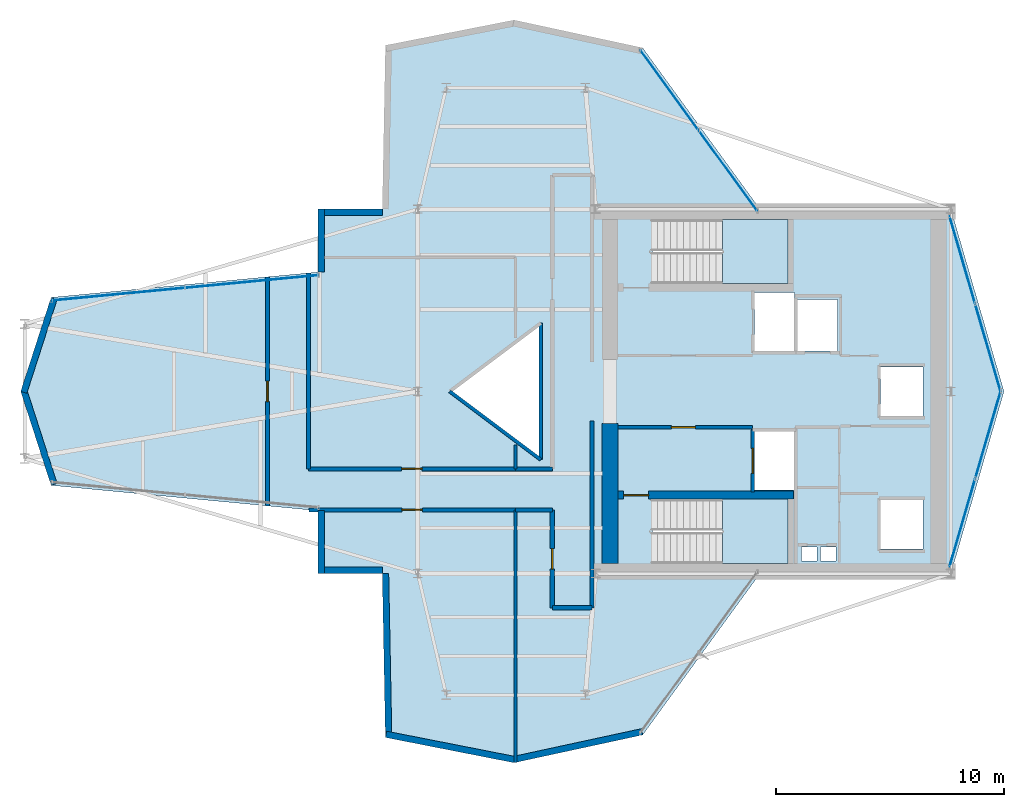
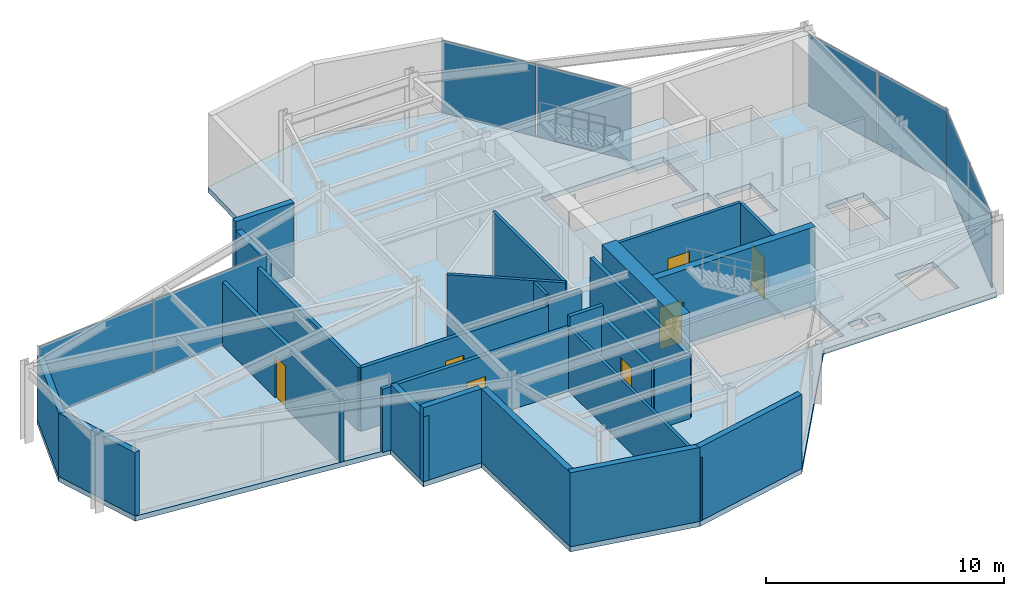
# One storey, part 18 of 21: 26 walls, 8 plates, 7 doors, 3 slabs, 7 openings, 6 elements without a shape of their own.
"""IFC4 building model written with IfcOpenShell, lengths in metres."""

import ifcopenshell
import ifcopenshell.guid

model = None  # the IFC model being written
_history = None  # IfcOwnerHistory: only IFC2X3 demands one
_inside = {}  # id of a spatial element -> (the spatial element, [elements in it])
_under = {}  # id of a project, library or spatial element -> (it, [spatial elements below it])
_declared = {}  # id of a project -> (the project, [libraries it declares])
_typed = {}  # id of a type object -> (the type object, [elements of that type])
_made_of = {}  # id of a material, layer set ... -> (it, [elements and type objects made of it])


def new_model(schema):
    """Start an empty IFC model of exactly this schema.

    Asked for "IFC4X3", IfcOpenShell would pick the latest addendum, in which some entities
    have other attributes; the version numbers below select the first issue.
    IFC2X3 requires an IfcOwnerHistory on every rooted entity: one is made here for all.
    """
    global model, _history
    if schema == "IFC4X3":
        model = ifcopenshell.file(schema_version=(4, 3, 0, 0))
    else:
        model = ifcopenshell.file(schema=schema)
    _inside.clear()
    _under.clear()
    _declared.clear()
    _typed.clear()
    _made_of.clear()
    _history = None
    if model.schema == "IFC2X3":
        org = make("IfcOrganization", Name="unknown")
        user = make(
            "IfcPersonAndOrganization",
            ThePerson=make("IfcPerson", FamilyName="unknown"),
            TheOrganization=org,
        )
        app = make(
            "IfcApplication",
            ApplicationDeveloper=org,
            Version="unknown",
            ApplicationFullName="unknown",
            ApplicationIdentifier="unknown",
        )
        _history = make(
            "IfcOwnerHistory",
            OwningUser=user,
            OwningApplication=app,
            ChangeAction="ADDED",
            CreationDate=0,
        )
    return model


def make(cls, **values):
    """One entity of the class cls with the attributes given. An attribute that is None is left unset."""
    return model.create_entity(
        cls, **{name: value for name, value in values.items() if value is not None}
    )


def rooted(cls, **values):
    """An entity with a GlobalId (a new one), such as an element, a storey or a relation."""
    return make(cls, GlobalId=ifcopenshell.guid.new(), OwnerHistory=_history, **values)


def si_unit(unit_type, name, prefix=None):
    """IfcSIUnit, for example si_unit("LENGTHUNIT", "METRE", prefix="MILLI")."""
    return make("IfcSIUnit", UnitType=unit_type, Prefix=prefix, Name=name)


def assignment(units):
    """IfcUnitAssignment: the units of a project."""
    return None if units is None else make("IfcUnitAssignment", Units=units)


def point(xyz):
    """IfcCartesianPoint."""
    return None if xyz is None else make("IfcCartesianPoint", Coordinates=xyz)


def direction(xyz):
    """IfcDirection."""
    return None if xyz is None else make("IfcDirection", DirectionRatios=xyz)


def frame(location, z_axis=None, x_axis=None):
    """IfcAxis2Placement3D, a coordinate frame: its origin and axes. An axis left out is left unset."""
    return make(
        "IfcAxis2Placement3D",
        Location=point(location),
        Axis=direction(z_axis),
        RefDirection=direction(x_axis),
    )


def frame_2d(location, x_axis=None):
    """IfcAxis2Placement2D, a coordinate frame in the plane: its origin and x axis."""
    return make(
        "IfcAxis2Placement2D", Location=point(location), RefDirection=direction(x_axis)
    )


def origin():
    """The frame at (0, 0, 0) with its axes left unset."""
    return frame((0.0, 0.0, 0.0))


def origin_2d():
    """The frame at (0, 0) in the plane with its x axis left unset."""
    return frame_2d((0.0, 0.0))


def place(relative_to, where):
    """IfcLocalPlacement: puts the frame where relative to a parent placement (None: the world)."""
    return make(
        "IfcLocalPlacement", PlacementRelTo=relative_to, RelativePlacement=where
    )


def context(
    kind, dimensions, precision=None, world=None, true_north=None, identifier=None
):
    """IfcGeometricRepresentationContext, for example the 3D "Model" context."""
    return make(
        "IfcGeometricRepresentationContext",
        ContextIdentifier=identifier,
        ContextType=kind,
        CoordinateSpaceDimension=dimensions,
        Precision=precision,
        WorldCoordinateSystem=world,
        TrueNorth=true_north,
    )


def subcontext(parent, identifier, kind, view, scale=None):
    """IfcGeometricRepresentationSubContext, for example "Body" below "Model"."""
    return make(
        "IfcGeometricRepresentationSubContext",
        ContextIdentifier=identifier,
        ContextType=kind,
        ParentContext=parent,
        TargetScale=scale,
        TargetView=view,
    )


def project(units=None, contexts=None):
    """IfcProject with its units and contexts."""
    return rooted(
        "IfcProject",
        Name="project",
        RepresentationContexts=contexts,
        UnitsInContext=assignment(units),
    )


def spatial(cls, under=None, at=None, **own):
    """A site, building, storey or space (cls), placed at a placement, below another one or the project."""
    s = rooted(cls, ObjectPlacement=at, **own)
    if under is not None:
        _under.setdefault(under.id(), (under, []))[1].append(s)
    return s


def polyline(points):
    """IfcPolyline through the points."""
    return make("IfcPolyline", Points=[point(p) for p in points])


def profile(cls, at=None, kind="AREA", **sizes):
    """A parametric profile (cls). Its sizes go by their IFC names, for example OverallWidth=200.0."""
    return make(cls, ProfileType=kind, Position=at, **sizes)


def rectangle(**sizes):
    """IfcRectangleProfileDef."""
    return profile("IfcRectangleProfileDef", **sizes)


def outline(outer, holes=None, kind="AREA"):
    """IfcArbitraryClosedProfileDef: a profile drawn as a closed curve; with holes, ...WithVoids."""
    if holes is None:
        return make("IfcArbitraryClosedProfileDef", ProfileType=kind, OuterCurve=outer)
    return make(
        "IfcArbitraryProfileDefWithVoids",
        ProfileType=kind,
        OuterCurve=outer,
        InnerCurves=holes,
    )


def extrude(swept, where, along, depth):
    """IfcExtrudedAreaSolid: the profile swept, set in the frame where, extruded along a direction by depth."""
    return make(
        "IfcExtrudedAreaSolid",
        SweptArea=swept,
        Position=where,
        ExtrudedDirection=direction(along),
        Depth=depth,
    )


def shape(context_of_items, identifier, shape_type, items):
    """IfcShapeRepresentation: the items that make up one representation, for example the "Body"."""
    return make(
        "IfcShapeRepresentation",
        ContextOfItems=context_of_items,
        RepresentationIdentifier=identifier,
        RepresentationType=shape_type,
        Items=items,
    )


def material(Name=None, Category=None):
    """IfcMaterial."""
    return make("IfcMaterial", Name=Name, Category=Category)


def layer(
    of_material, thickness, ventilated=None, Name=None, Category=None, Priority=None
):
    """IfcMaterialLayer: one layer of a wall or slab, of a material (None: an air gap)."""
    return make(
        "IfcMaterialLayer",
        Material=of_material,
        LayerThickness=thickness,
        IsVentilated=ventilated,
        Name=Name,
        Category=Category,
        Priority=Priority,
    )


def layer_set(layers, Name=None):
    """IfcMaterialLayerSet."""
    return make("IfcMaterialLayerSet", MaterialLayers=layers, LayerSetName=Name)


def made_of(thing, what):
    """Note that an element or type object is made of a material, layer set ...; save() writes the relation."""
    if what is not None:
        _made_of.setdefault(what.id(), (what, []))[1].append(thing)
    return thing


def type_object(cls, material=None, **own):
    """A type object (cls), such as IfcWallType, which elements share."""
    return made_of(rooted(cls, **own), material)


def element(
    cls,
    number,
    at=None,
    inside=None,
    cuts=None,
    type_object=None,
    material=None,
    context=None,
    identifier="Body",
    shape_type=None,
    held_by="IfcProductDefinitionShape",
    body=None,
    shapes=None,
    **own,
):
    """One element of the class cls, such as IfcWall. Its Tag is "e" and its number.

    at: its placement. inside: the storey or other place that contains it. cuts: it is an
    opening in that element (IfcRelVoidsElement). A single representation is given by context,
    identifier, shape_type and body (its items); several are given by shapes. held_by: the class
    of the entity that holds the representations. save() writes the other relations.
    """
    e = rooted(cls, Tag="e%d" % number, ObjectPlacement=at, **own)
    if body is not None:
        shapes = [shape(context, identifier, shape_type, body)]
    if shapes is not None:
        e.Representation = make(held_by, Representations=shapes)
    if inside is not None:
        _inside.setdefault(inside.id(), (inside, []))[1].append(e)
    if cuts is not None:
        rooted(
            "IfcRelVoidsElement", RelatingBuildingElement=cuts, RelatedOpeningElement=e
        )
    if type_object is not None:
        _typed.setdefault(type_object.id(), (type_object, []))[1].append(e)
    return made_of(e, material)


def fill(opening, filler):
    """IfcRelFillsElement: the door or window that sits in an opening."""
    return rooted(
        "IfcRelFillsElement",
        RelatingOpeningElement=opening,
        RelatedBuildingElement=filler,
    )


def aggregate(whole, parts):
    """IfcRelAggregates: a whole, such as a stair, and the parts it consists of."""
    return rooted("IfcRelAggregates", RelatingObject=whole, RelatedObjects=parts)


def save(model, path):
    """Write the relations noted so far, then the file.

    IfcRelAggregates (storeys below a building ...), IfcRelContainedInSpatialStructure (elements
    in a storey), IfcRelDefinesByType, IfcRelAssociatesMaterial and IfcRelDeclares: one each for
    every whole, place, type object, material and project.
    """
    for whole, parts in _under.values():
        aggregate(whole, parts)
    for where, things in _inside.values():
        rooted(
            "IfcRelContainedInSpatialStructure",
            RelatedElements=things,
            RelatingStructure=where,
        )
    for kind, things in _typed.values():
        rooted("IfcRelDefinesByType", RelatedObjects=things, RelatingType=kind)
    for what, things in _made_of.values():
        rooted("IfcRelAssociatesMaterial", RelatedObjects=things, RelatingMaterial=what)
    for by, libraries in _declared.values():
        rooted("IfcRelDeclares", RelatingContext=by, RelatedDefinitions=libraries)
    model.write(path)


model = new_model("IFC4")

# Units and contexts
model_context = context("Model", 3, precision=1e-05, world=origin(), true_north=direction((0.0, 1.0)))
body_context = subcontext(model_context, "Body", "Model", "MODEL_VIEW")
ifc_project = project(units=[si_unit("LENGTHUNIT", "METRE"), si_unit("AREAUNIT", "SQUARE_METRE"), si_unit("VOLUMEUNIT", "CUBIC_METRE"), si_unit("PLANEANGLEUNIT", "RADIAN"), si_unit("MASSUNIT", "GRAM", prefix="KILO")], contexts=[model_context])

# Site, building, storey
site_placement = place(None, origin())
site = spatial("IfcSite", under=ifc_project, at=site_placement, CompositionType="ELEMENT")
building_placement = place(site_placement, origin())
building = spatial("IfcBuilding", under=site, at=building_placement, Name="Veymaron Broadcast Tower", CompositionType="ELEMENT")
storey_placement = place(building_placement, frame((0.0, 0.0, 228.300048828125)))
storey = spatial("IfcBuildingStorey", under=building, at=storey_placement, Name="L53", CompositionType="ELEMENT", Elevation=228.300048828125)

# Curtain wall, plates
ifc_material_1 = material(Name="Anodised aluminium AA 6063-T6 and laminated low-E dark glass", Category="aluminium")
ifc_layer_1 = layer(ifc_material_1, 0.179931640625)
ifc_layer_set_1 = layer_set([ifc_layer_1], Name="Anodised aluminium AA 6063-T6 and laminated low-E dark glass")
curtain_wall_type = type_object("IfcCurtainWallType", Name="CW-SYS-05", PredefinedType="NOTDEFINED", material=ifc_layer_set_1)
curtain_wall_1_placement = place(storey_placement, origin())
curtain_wall_1 = element("IfcCurtainWall", 1, at=curtain_wall_1_placement, inside=storey, type_object=curtain_wall_type, Name="L53 dark-glass curtain wall CW-L53-E2-1", PredefinedType="NOTDEFINED")
ifc_material_2 = material(Name="Double-silver solar-control dark glass IGU 32 mm", Category="glass")
ifc_layer_2 = layer(ifc_material_2, 0.031982421875)
ifc_layer_set_2 = layer_set([ifc_layer_2], Name="Double-silver solar-control dark glass IGU 32 mm")
plate_type = type_object("IfcPlateType", Name="CW-PNL-02", PredefinedType="CURTAIN_PANEL", material=ifc_layer_set_2)
plate_1_placement = place(storey_placement, frame((55.101318359375, 18.221435546875, 0.0400390625), z_axis=(0.0, 0.0, 1.0), x_axis=(0.279745232811, 0.960074270418, 0.0)))
plate_1 = element("IfcPlate", 2, at=plate_1_placement, type_object=plate_type, Name="CW-L53-E2-1 unitised curtain panel 0", PredefinedType="CURTAIN_PANEL", context=body_context, shape_type="SweptSolid", body=[
    extrude(rectangle(XDim=3.979736328125, YDim=0.031982421875, at=origin_2d()), origin(), (0.0, 0.0, 1.0), 3.7099609375),
])
plate_2_placement = place(storey_placement, frame((56.2314453125, 22.099853515625, 0.0400390625), z_axis=(0.0, 0.0, 1.0), x_axis=(0.279745232811, 0.960074270418, 0.0)))
plate_2 = element("IfcPlate", 3, at=plate_2_placement, type_object=plate_type, Name="CW-L53-E2-1 unitised curtain panel 1", PredefinedType="CURTAIN_PANEL", context=body_context, shape_type="SweptSolid", body=[
    extrude(rectangle(XDim=3.979736328125, YDim=0.031982421875, at=origin_2d()), origin(), (0.0, 0.0, 1.0), 3.7099609375),
])
aggregate(curtain_wall_1, [plate_1, plate_2])

curtain_wall_2_placement = place(storey_placement, origin())
curtain_wall_2 = element("IfcCurtainWall", 4, at=curtain_wall_2_placement, inside=storey, type_object=curtain_wall_type, Name="L53 dark-glass curtain wall CW-L53-E3-1", PredefinedType="NOTDEFINED")
plate_3_placement = place(storey_placement, frame((56.2314453125, 25.900146484375, 0.0400390625), z_axis=(0.0, 0.0, 1.0), x_axis=(-0.279745232811, 0.960074270418, 0.0)))
plate_3 = element("IfcPlate", 5, at=plate_3_placement, type_object=plate_type, Name="CW-L53-E3-1 unitised curtain panel 0", PredefinedType="CURTAIN_PANEL", context=body_context, shape_type="SweptSolid", body=[
    extrude(rectangle(XDim=3.979736328125, YDim=0.031982421875, at=origin_2d()), origin(), (0.0, 0.0, 1.0), 3.7099609375),
])
plate_4_placement = place(storey_placement, frame((55.101318359375, 29.778564453125, 0.0400390625), z_axis=(0.0, 0.0, 1.0), x_axis=(-0.279745232811, 0.960074270418, 0.0)))
plate_4 = element("IfcPlate", 6, at=plate_4_placement, type_object=plate_type, Name="CW-L53-E3-1 unitised curtain panel 1", PredefinedType="CURTAIN_PANEL", context=body_context, shape_type="SweptSolid", body=[
    extrude(rectangle(XDim=3.979736328125, YDim=0.031982421875, at=origin_2d()), origin(), (0.0, 0.0, 1.0), 3.7099609375),
])
aggregate(curtain_wall_2, [plate_3, plate_4])

curtain_wall_3_placement = place(storey_placement, origin())
curtain_wall_3 = element("IfcCurtainWall", 7, at=curtain_wall_3_placement, inside=storey, type_object=curtain_wall_type, Name="L53 dark-glass curtain wall CW-L53-E5-1", PredefinedType="NOTDEFINED")
plate_5_placement = place(storey_placement, frame((44.817626953125, 33.688232421875, 0.0400390625), z_axis=(0.0, 0.0, 1.0), x_axis=(-0.588109965161, 0.808780977075, 0.0)))
plate_5 = element("IfcPlate", 8, at=plate_5_placement, type_object=plate_type, Name="CW-L53-E5-1 unitised curtain panel 0", PredefinedType="CURTAIN_PANEL", context=body_context, shape_type="SweptSolid", body=[
    extrude(rectangle(XDim=4.318115234375, YDim=0.031982421875, at=origin_2d()), origin(), (0.0, 0.0, 1.0), 3.7099609375),
])
plate_6_placement = place(storey_placement, frame((42.242919921875, 37.229248046875, 0.0400390625), z_axis=(0.0, 0.0, 1.0), x_axis=(-0.588109965161, 0.808780977075, 0.0)))
plate_6 = element("IfcPlate", 9, at=plate_6_placement, type_object=plate_type, Name="CW-L53-E5-1 unitised curtain panel 1", PredefinedType="CURTAIN_PANEL", context=body_context, shape_type="SweptSolid", body=[
    extrude(rectangle(XDim=4.318115234375, YDim=0.031982421875, at=origin_2d()), origin(), (0.0, 0.0, 1.0), 3.7099609375),
])
aggregate(curtain_wall_3, [plate_5, plate_6])

curtain_wall_4_placement = place(storey_placement, origin())
curtain_wall_4 = element("IfcCurtainWall", 10, at=curtain_wall_4_placement, inside=storey, type_object=curtain_wall_type, Name="L53 dark-glass curtain wall CW-L53-E11-1", PredefinedType="NOTDEFINED")
plate_7_placement = place(storey_placement, frame((23.90625, 28.82080078125, 0.0400390625), z_axis=(0.0, 0.0, 1.0), x_axis=(-0.995524106892, -0.094507949912, 0.0)))
plate_7 = element("IfcPlate", 11, at=plate_7_placement, type_object=plate_type, Name="CW-L53-E11-1 unitised curtain panel 0", PredefinedType="CURTAIN_PANEL", context=body_context, shape_type="SweptSolid", body=[
    extrude(rectangle(XDim=5.828369140625, YDim=0.031982421875, at=origin_2d()), origin(), (0.0, 0.0, 1.0), 3.7099609375),
])
plate_8_placement = place(storey_placement, frame((18.044189453125, 28.264404296875, 0.0400390625), z_axis=(0.0, 0.0, 1.0), x_axis=(-0.995524106892, -0.094507949912, 0.0)))
plate_8 = element("IfcPlate", 12, at=plate_8_placement, type_object=plate_type, Name="CW-L53-E11-1 unitised curtain panel 1", PredefinedType="CURTAIN_PANEL", context=body_context, shape_type="SweptSolid", body=[
    extrude(rectangle(XDim=5.828369140625, YDim=0.031982421875, at=origin_2d()), origin(), (0.0, 0.0, 1.0), 3.7099609375),
])
aggregate(curtain_wall_4, [plate_7, plate_8])

# Slab
ifc_material_3 = material(Name="Concrete C40/50", Category="concrete")
ifc_layer_3 = layer(ifc_material_3, 0.260009765625)
ifc_layer_set_3 = layer_set([ifc_layer_3], Name="Concrete C40/50")
slab_type_1 = type_object("IfcSlabType", Name="SLAB-FS5", PredefinedType="FLOOR", material=ifc_layer_set_3)
slab_1_placement = place(storey_placement, frame((0.0, 0.0, -0.260009765625)))
element("IfcSlab", 13, at=slab_1_placement, inside=storey, type_object=slab_type_1, Name="L53 structural floor slab", PredefinedType="FLOOR", context=body_context, shape_type="SweptSolid", body=[
    extrude(outline(polyline([(46.21826171875, 16.0), (54.60009765625, 16.0), (56.930908203125, 24.0), (54.60009765625, 32.0), (46.21826171875, 32.0), (41.068603515625, 39.08203125), (35.423095703125, 40.302978515625), (29.777587890625, 39.193115234375), (29.639404296875, 32.0), (26.823974609375, 32.0), (26.823974609375, 29.238525390625), (15.10009765625, 28.12548828125), (13.76806640625, 24.0), (15.10009765625, 19.87451171875), (26.823974609375, 18.761474609375), (26.823974609375, 16.0), (29.639404296875, 16.0), (29.777587890625, 8.806884765625), (35.423095703125, 7.697021484375), (41.068603515625, 8.91796875), (46.21826171875, 16.0)]), holes=[polyline([(45.969970703125, 28.330078125), (47.72998046875, 28.330078125), (47.72998046875, 25.77001953125), (45.969970703125, 25.77001953125), (45.969970703125, 28.330078125)]), polyline([(45.969970703125, 22.22998046875), (47.72998046875, 22.22998046875), (47.72998046875, 19.669921875), (45.969970703125, 19.669921875), (45.969970703125, 22.22998046875)]), polyline([(47.8701171875, 28.030029296875), (49.6298828125, 28.030029296875), (49.6298828125, 25.77001953125), (47.8701171875, 25.77001953125), (47.8701171875, 28.030029296875)]), polyline([(51.52001953125, 25.080078125), (53.3798828125, 25.080078125), (53.3798828125, 22.919921875), (51.52001953125, 22.919921875), (51.52001953125, 25.080078125)]), polyline([(51.52001953125, 19.22998046875), (53.3798828125, 19.22998046875), (53.3798828125, 17.070068359375), (51.52001953125, 17.070068359375), (51.52001953125, 19.22998046875)]), polyline([(48.050048828125, 17.159912109375), (48.719970703125, 17.159912109375), (48.719970703125, 16.56005859375), (48.050048828125, 16.56005859375), (48.050048828125, 17.159912109375)]), polyline([(48.8798828125, 17.159912109375), (49.550048828125, 17.159912109375), (49.550048828125, 16.56005859375), (48.8798828125, 16.56005859375), (48.8798828125, 17.159912109375)]), polyline([(36.60009765625, 27.0), (36.60009765625, 21.0), (32.60009765625, 24.0), (36.60009765625, 27.0)]), polyline([(41.489990234375, 31.550048828125), (47.43994140625, 31.550048828125), (47.43994140625, 28.72998046875), (41.489990234375, 28.72998046875), (41.489990234375, 31.550048828125)]), polyline([(41.489990234375, 19.27001953125), (47.43994140625, 19.27001953125), (47.43994140625, 16.449951171875), (41.489990234375, 16.449951171875), (41.489990234375, 19.27001953125)])]), origin(), (0.0, 0.0, 1.0), 0.260009765625),
])

# Stair, slab
ifc_material_4 = material(Name="Concrete C50/60", Category="concrete")
stair_type_1 = type_object("IfcStairType", Name="STAIR-CORE-1", PredefinedType="HALF_TURN_STAIR", material=ifc_material_4)
stair_1_placement = place(storey_placement, origin())
stair_1 = element("IfcStair", 14, at=stair_1_placement, inside=storey, type_object=stair_type_1, Name="L53 North protected dog-leg exit stair ST1", PredefinedType="HALF_TURN_STAIR")
ifc_layer_4 = layer(ifc_material_4, 0.199951171875)
ifc_layer_set_4 = layer_set([ifc_layer_4], Name="Concrete C50/60")
slab_type_2 = type_object("IfcSlabType", Name="SLAB-STAIR-LDG", PredefinedType="LANDING", material=ifc_layer_set_4)
slab_2_placement = place(storey_placement, frame((0.0, 0.0, 1.824951171875)))
slab_2 = element("IfcSlab", 15, at=slab_2_placement, type_object=slab_type_2, Name="ST1 landing 1", PredefinedType="LANDING", context=body_context, shape_type="SweptSolid", body=[
    extrude(outline(polyline([(44.56494140625, 28.72998046875), (47.43994140625, 28.72998046875), (47.43994140625, 31.550048828125), (44.56494140625, 31.550048828125), (44.56494140625, 28.72998046875)])), origin(), (0.0, 0.0, 1.0), 0.199951171875),
])
aggregate(stair_1, [slab_2])

stair_type_2 = type_object("IfcStairType", Name="STAIR-CORE-2", PredefinedType="HALF_TURN_STAIR", material=ifc_material_4)
stair_2_placement = place(storey_placement, origin())
stair_2 = element("IfcStair", 16, at=stair_2_placement, inside=storey, type_object=stair_type_2, Name="L53 South protected dog-leg exit stair ST2", PredefinedType="HALF_TURN_STAIR")
slab_3_placement = place(storey_placement, frame((0.0, 0.0, 1.824951171875)))
slab_3 = element("IfcSlab", 17, at=slab_3_placement, type_object=slab_type_2, Name="ST2 landing 1", PredefinedType="LANDING", context=body_context, shape_type="SweptSolid", body=[
    extrude(outline(polyline([(44.56494140625, 16.449951171875), (47.43994140625, 16.449951171875), (47.43994140625, 19.27001953125), (44.56494140625, 19.27001953125), (44.56494140625, 16.449951171875)])), origin(), (0.0, 0.0, 1.0), 0.199951171875),
])
aggregate(stair_2, [slab_3])

# Walls
ifc_material_5 = material(Name="Precast concrete C40/50", Category="concrete")
ifc_layer_5 = layer(ifc_material_5, 0.280029296875)
ifc_layer_set_5 = layer_set([ifc_layer_5], Name="Precast concrete C40/50")
wall_type_1 = type_object("IfcWallType", Name="WALL-EXT-280", PredefinedType="STANDARD", material=ifc_layer_set_5)
wall_1_placement = place(storey_placement, frame((29.639404296875, 31.860107421875, 0.0), z_axis=(0.0, 0.0, 1.0), x_axis=(-1.0, 0.0, 0.0)))
element("IfcWall", 18, at=wall_1_placement, inside=storey, type_object=wall_type_1, Name="L53 notched corner facade pier 9-1", PredefinedType="STANDARD", context=body_context, shape_type="SweptSolid", body=[
    extrude(rectangle(XDim=2.8154296875, YDim=0.280029296875, at=frame_2d((1.40771484375, 0.0))), origin(), (0.0, 0.0, 1.0), 3.7900390625),
])
wall_2_placement = place(storey_placement, frame((26.964111328125, 32.0, 0.0), z_axis=(0.0, 0.0, 1.0), x_axis=(0.0, -1.0, 0.0)))
element("IfcWall", 19, at=wall_2_placement, inside=storey, type_object=wall_type_1, Name="L53 notched corner facade pier 10-1", PredefinedType="STANDARD", context=body_context, shape_type="SweptSolid", body=[
    extrude(rectangle(XDim=2.761474609375, YDim=0.280029296875, at=frame_2d((1.380859375, 0.0))), origin(), (0.0, 0.0, 1.0), 3.31884765625),
])
for number, where, z_axis, x_axis, name in (
    (20, (15.233154296875, 28.08251953125, 0.0), (0.0, 0.0, 1.0), (-0.307259454532, -0.951625781282, 0.0), "L53 notched corner facade pier 12-1"),
    (21, (13.901123046875, 24.04296875, 0.0), (0.0, 0.0, 1.0), (0.307259454532, -0.951625781282, 0.0), "L53 notched corner facade pier 13-1"),
):
    element("IfcWall", number, at=place(storey_placement, frame(where, z_axis=z_axis, x_axis=x_axis)), inside=storey, type_object=wall_type_1, Name=name, PredefinedType="STANDARD", context=body_context, shape_type="SweptSolid", body=[
        extrude(rectangle(XDim=4.335205078125, YDim=0.280029296875, at=frame_2d((2.16748046875, 0.0))), origin(), (0.0, 0.0, 1.0), 3.240966796875),
    ])
wall_3_placement = place(storey_placement, frame((26.964111328125, 18.761474609375, 0.0), z_axis=(0.0, 0.0, 1.0), x_axis=(0.0, -1.0, 0.0)))
element("IfcWall", 22, at=wall_3_placement, inside=storey, type_object=wall_type_1, Name="L53 notched corner facade pier 15-1", PredefinedType="STANDARD", context=body_context, shape_type="SweptSolid", body=[
    extrude(rectangle(XDim=2.761474609375, YDim=0.280029296875, at=frame_2d((1.380859375, 0.0))), origin(), (0.0, 0.0, 1.0), 3.31884765625),
])
wall_4_placement = place(storey_placement, frame((26.823974609375, 16.139892578125, 0.0), z_axis=(0.0, 0.0, 1.0), x_axis=(1.0, 0.0, 0.0)))
element("IfcWall", 23, at=wall_4_placement, inside=storey, type_object=wall_type_1, Name="L53 notched corner facade pier 16-1", PredefinedType="STANDARD", context=body_context, shape_type="SweptSolid", body=[
    extrude(rectangle(XDim=2.8154296875, YDim=0.280029296875, at=frame_2d((1.40771484375, 0.0))), origin(), (0.0, 0.0, 1.0), 3.7900390625),
])
wall_5_placement = place(storey_placement, frame((29.779296875, 16.002685546875, 0.0), z_axis=(0.0, 0.0, 1.0), x_axis=(0.019207643139, -0.999815516205, 0.0)))
element("IfcWall", 24, at=wall_5_placement, inside=storey, type_object=wall_type_1, Name="L53 notched corner facade pier 17-1", PredefinedType="STANDARD", context=body_context, shape_type="SweptSolid", body=[
    extrude(rectangle(XDim=7.194091796875, YDim=0.280029296875, at=frame_2d((3.59716796875, 0.0))), origin(), (0.0, 0.0, 1.0), 3.7900390625),
])
wall_6_placement = place(storey_placement, frame((29.804443359375, 8.9443359375, 0.0), z_axis=(0.0, 0.0, 1.0), x_axis=(0.981218426529, -0.192899972626, 0.0)))
element("IfcWall", 25, at=wall_6_placement, inside=storey, type_object=wall_type_1, Name="L53 notched corner facade pier 18-1", PredefinedType="STANDARD", context=body_context, shape_type="SweptSolid", body=[
    extrude(rectangle(XDim=5.753662109375, YDim=0.280029296875, at=frame_2d((2.876953125, 0.0))), origin(), (0.0, 0.0, 1.0), 3.7900390625),
])
wall_7_placement = place(storey_placement, frame((35.393310546875, 7.833740234375, 0.0), z_axis=(0.0, 0.0, 1.0), x_axis=(0.977403545606, 0.211381903286, 0.0)))
element("IfcWall", 26, at=wall_7_placement, inside=storey, type_object=wall_type_1, Name="L53 notched corner facade pier 19-1", PredefinedType="STANDARD", context=body_context, shape_type="SweptSolid", body=[
    extrude(rectangle(XDim=5.776123046875, YDim=0.280029296875, at=frame_2d((2.88818359375, 0.0))), origin(), (0.0, 0.0, 1.0), 3.7900390625),
])

# Wall, opening, door
ifc_material_6 = material(Name="Gypsum fireboard and steel stud framing", Category="steel")
ifc_layer_6 = layer(ifc_material_6, 0.14990234375)
ifc_layer_set_6 = layer_set([ifc_layer_6], Name="Gypsum fireboard and steel stud framing")
wall_type_2 = type_object("IfcWallType", Name="WALL-FIRE-150", PredefinedType="PARTITIONING", material=ifc_layer_set_6)
wall_8_placement = place(storey_placement, frame((39.97998046875, 22.425048828125, 0.0), z_axis=(0.0, 0.0, 1.0), x_axis=(1.0, 0.0, 0.0)))
wall_8 = element("IfcWall", 27, at=wall_8_placement, inside=storey, type_object=wall_type_2, Name="L53 partition IW-L53-FFLS-N", PredefinedType="PARTITIONING", context=body_context, shape_type="SweptSolid", body=[
    extrude(rectangle(XDim=5.89990234375, YDim=0.14990234375, at=frame_2d((2.949951171875, 0.0))), origin(), (0.0, 0.0, 1.0), 3.7900390625),
])
opening_1_placement = place(wall_8_placement, frame((2.35009765625, 0.0, 0.0)))
opening_1 = element("IfcOpeningElement", 28, at=opening_1_placement, cuts=wall_8, Name="Opening ID-FL1", PredefinedType="OPENING", context=body_context, shape_type="SweptSolid", body=[
    extrude(rectangle(XDim=1.050048828125, YDim=2.14990234375, at=frame_2d((0.52490234375, 1.074951171875))), frame((0.0, 0.0849609375, 0.0), z_axis=(0.0, -1.0, 0.0), x_axis=(1.0, 0.0, 0.0)), (0.0, 0.0, 1.0), 0.169921875),
])
ifc_material_7 = material(Name="Fire-rated painted hollow steel ASTM A653", Category="steel")
door_type_1 = type_object("IfcDoorType", Name="DOOR-FIRE-1050", OperationType="NOTDEFINED", PredefinedType="DOOR", material=ifc_material_7)
door_1_placement = place(opening_1_placement, frame((1.050048828125, 0.0, 0.0), z_axis=(0.0, 0.0, 1.0), x_axis=(-1.0, 0.0, 0.0)))
door_1 = element("IfcDoor", 29, at=door_1_placement, inside=storey, type_object=door_type_1, Name="L53 door DR-L53-FFLS", OperationType="SINGLE_SWING_RIGHT", OverallHeight=2.14990234375, OverallWidth=1.050048828125, PredefinedType="DOOR", context=body_context, shape_type="SweptSolid", body=[
    extrude(rectangle(XDim=1.050048828125, YDim=2.14990234375, at=frame_2d((0.52490234375, 1.074951171875))), frame((0.0, 0.02490234375, 0.0), z_axis=(0.0, -1.0, 0.0), x_axis=(1.0, 0.0, 0.0)), (0.0, 0.0, 1.0), 0.050048828125),
])
fill(opening_1, door_1)

wall_9_placement = place(storey_placement, frame((45.89501953125, 19.590087890625, 0.0), z_axis=(0.0, 0.0, 1.0), x_axis=(0.0, 1.0, 0.0)))
wall_9 = element("IfcWall", 30, at=wall_9_placement, inside=storey, type_object=wall_type_2, Name="L53 partition IW-L53-SHW-FFL-2", PredefinedType="PARTITIONING", context=body_context, shape_type="SweptSolid", body=[
    extrude(rectangle(XDim=2.719970703125, YDim=0.14990234375, at=frame_2d((1.35986328125, 0.0))), origin(), (0.0, 0.0, 1.0), 3.7900390625),
])
opening_2_placement = place(wall_9_placement, frame((0.81005859375, 0.0, 0.0)))
opening_2 = element("IfcOpeningElement", 31, at=opening_2_placement, cuts=wall_9, Name="Opening LD", PredefinedType="OPENING", context=body_context, shape_type="SweptSolid", body=[
    extrude(rectangle(XDim=1.10009765625, YDim=2.14990234375, at=frame_2d((0.550048828125, 1.074951171875))), frame((0.0, 0.0849609375, 0.0), z_axis=(0.0, -1.0, 0.0), x_axis=(1.0, 0.0, 0.0)), (0.0, 0.0, 1.0), 0.169921875),
])
ifc_material_8 = material(Name="Brushed stainless steel AISI 304", Category="steel")
door_type_2 = type_object("IfcDoorType", Name="DOOR-LIFT-1100", OperationType="DOUBLE_DOOR_SLIDING", PredefinedType="DOOR", material=ifc_material_8)
door_2_placement = place(opening_2_placement, frame((1.10009765625, 0.0, 0.0), z_axis=(0.0, 0.0, 1.0), x_axis=(-1.0, 0.0, 0.0)))
door_2 = element("IfcDoor", 32, at=door_2_placement, inside=storey, type_object=door_type_2, Name="L53 door LD-L53-FFL-2", OperationType="DOUBLE_DOOR_SLIDING", OverallHeight=2.14990234375, OverallWidth=1.10009765625, PredefinedType="DOOR", context=body_context, shape_type="SweptSolid", body=[
    extrude(rectangle(XDim=1.10009765625, YDim=2.14990234375, at=frame_2d((0.550048828125, 1.074951171875))), frame((0.0, 0.02490234375, 0.0), z_axis=(0.0, -1.0, 0.0), x_axis=(1.0, 0.0, 0.0)), (0.0, 0.0, 1.0), 0.050048828125),
])
fill(opening_2, door_2)

ifc_layer_7 = layer(ifc_material_3, 0.179931640625)
ifc_layer_set_7 = layer_set([ifc_layer_7], Name="Concrete C40/50")
wall_type_3 = type_object("IfcWallType", Name="WALL-FIRE-180", PredefinedType="SOLIDWALL", material=ifc_layer_set_7)
wall_10_placement = place(storey_placement, frame((37.10009765625, 14.5, 0.0), z_axis=(0.0, 0.0, 1.0), x_axis=(0.0, 1.0, 0.0)))
wall_10 = element("IfcWall", 33, at=wall_10_placement, inside=storey, type_object=wall_type_3, Name="L53 partition IW-L53-P02", PredefinedType="SOLIDWALL", context=body_context, shape_type="SweptSolid", body=[
    extrude(rectangle(XDim=4.300048828125, YDim=0.179931640625, at=frame_2d((2.14990234375, 0.0))), origin(), (0.0, 0.0, 1.0), 3.240966796875),
])
opening_3_placement = place(wall_10_placement, frame((1.699951171875, 0.0, 0.0)))
opening_3 = element("IfcOpeningElement", 34, at=opening_3_placement, cuts=wall_10, Name="Opening ID-RM2", PredefinedType="OPENING", context=body_context, shape_type="SweptSolid", body=[
    extrude(rectangle(XDim=0.89990234375, YDim=2.14990234375, at=frame_2d((0.449951171875, 1.074951171875))), frame((0.0, 0.10009765625, 0.0), z_axis=(0.0, -1.0, 0.0), x_axis=(1.0, 0.0, 0.0)), (0.0, 0.0, 1.0), 0.199951171875),
])
ifc_material_9 = material(Name="Acoustic solid-core European oak veneer timber", Category="wood")
door_type_3 = type_object("IfcDoorType", Name="DOOR-INT-900", OperationType="NOTDEFINED", PredefinedType="DOOR", material=ifc_material_9)
door_3_placement = place(opening_3_placement, origin())
door_3 = element("IfcDoor", 35, at=door_3_placement, inside=storey, type_object=door_type_3, Name="L53 door DR-L53-P02", OperationType="SINGLE_SWING_LEFT", OverallHeight=2.14990234375, OverallWidth=0.89990234375, PredefinedType="DOOR", context=body_context, shape_type="SweptSolid", body=[
    extrude(rectangle(XDim=0.89990234375, YDim=2.14990234375, at=frame_2d((0.449951171875, 1.074951171875))), frame((0.0, 0.02490234375, 0.0), z_axis=(0.0, -1.0, 0.0), x_axis=(1.0, 0.0, 0.0)), (0.0, 0.0, 1.0), 0.050048828125),
])
fill(opening_3, door_3)

wall_11_placement = place(storey_placement, frame((26.41845703125, 18.800048828125, 0.0), z_axis=(0.0, 0.0, 1.0), x_axis=(1.0, 0.0, 0.0)))
wall_11 = element("IfcWall", 36, at=wall_11_placement, inside=storey, type_object=wall_type_3, Name="L53 partition IW-L53-P05", PredefinedType="SOLIDWALL", context=body_context, shape_type="SweptSolid", body=[
    extrude(rectangle(XDim=9.064453125, YDim=0.179931640625, at=frame_2d((4.5322265625, 0.0))), origin(), (0.0, 0.0, 1.0), 3.240966796875),
])
opening_4_placement = place(wall_11_placement, frame((4.082275390625, 0.0, 0.0)))
opening_4 = element("IfcOpeningElement", 37, at=opening_4_placement, cuts=wall_11, Name="Opening ID-RM2", PredefinedType="OPENING", context=body_context, shape_type="SweptSolid", body=[
    extrude(rectangle(XDim=0.89990234375, YDim=2.14990234375, at=frame_2d((0.449951171875, 1.074951171875))), frame((0.0, 0.10009765625, 0.0), z_axis=(0.0, -1.0, 0.0), x_axis=(1.0, 0.0, 0.0)), (0.0, 0.0, 1.0), 0.199951171875),
])
door_4_placement = place(opening_4_placement, frame((0.89990234375, 0.0, 0.0), z_axis=(0.0, 0.0, 1.0), x_axis=(-1.0, 0.0, 0.0)))
door_4 = element("IfcDoor", 38, at=door_4_placement, inside=storey, type_object=door_type_3, Name="L53 door DR-L53-P05", OperationType="SINGLE_SWING_RIGHT", OverallHeight=2.14990234375, OverallWidth=0.89990234375, PredefinedType="DOOR", context=body_context, shape_type="SweptSolid", body=[
    extrude(rectangle(XDim=0.89990234375, YDim=2.14990234375, at=frame_2d((0.449951171875, 1.074951171875))), frame((0.0, 0.02490234375, 0.0), z_axis=(0.0, -1.0, 0.0), x_axis=(1.0, 0.0, 0.0)), (0.0, 0.0, 1.0), 0.050048828125),
])
fill(opening_4, door_4)

wall_12_placement = place(storey_placement, frame((24.60009765625, 18.97265625, 0.0), z_axis=(0.0, 0.0, 1.0), x_axis=(0.0, 1.0, 0.0)))
wall_12 = element("IfcWall", 39, at=wall_12_placement, inside=storey, type_object=wall_type_3, Name="L53 partition IW-L53-P06", PredefinedType="SOLIDWALL", context=body_context, shape_type="SweptSolid", body=[
    extrude(rectangle(XDim=10.0546875, YDim=0.179931640625, at=frame_2d((5.02734375, 0.0))), origin(), (0.0, 0.0, 1.0), 3.240966796875),
])
opening_5_placement = place(wall_12_placement, frame((4.577392578125, 0.0, 0.0)))
opening_5 = element("IfcOpeningElement", 40, at=opening_5_placement, cuts=wall_12, Name="Opening ID-RM2", PredefinedType="OPENING", context=body_context, shape_type="SweptSolid", body=[
    extrude(rectangle(XDim=0.89990234375, YDim=2.14990234375, at=frame_2d((0.449951171875, 1.074951171875))), frame((0.0, 0.10009765625, 0.0), z_axis=(0.0, -1.0, 0.0), x_axis=(1.0, 0.0, 0.0)), (0.0, 0.0, 1.0), 0.199951171875),
])
door_5_placement = place(opening_5_placement, origin())
door_5 = element("IfcDoor", 41, at=door_5_placement, inside=storey, type_object=door_type_3, Name="L53 door DR-L53-P06", OperationType="SINGLE_SWING_LEFT", OverallHeight=2.14990234375, OverallWidth=0.89990234375, PredefinedType="DOOR", context=body_context, shape_type="SweptSolid", body=[
    extrude(rectangle(XDim=0.89990234375, YDim=2.14990234375, at=frame_2d((0.449951171875, 1.074951171875))), frame((0.0, 0.02490234375, 0.0), z_axis=(0.0, -1.0, 0.0), x_axis=(1.0, 0.0, 0.0)), (0.0, 0.0, 1.0), 0.050048828125),
])
fill(opening_5, door_5)

wall_13_placement = place(storey_placement, frame((26.39990234375, 20.60009765625, 0.0), z_axis=(0.0, 0.0, 1.0), x_axis=(1.0, 0.0, 0.0)))
wall_13 = element("IfcWall", 42, at=wall_13_placement, inside=storey, type_object=wall_type_3, Name="L53 partition IW-L53-P07", PredefinedType="SOLIDWALL", context=body_context, shape_type="SweptSolid", body=[
    extrude(rectangle(XDim=9.0830078125, YDim=0.179931640625, at=frame_2d((4.54150390625, 0.0))), origin(), (0.0, 0.0, 1.0), 3.240966796875),
])
opening_6_placement = place(wall_13_placement, frame((4.091552734375, 0.0, 0.0)))
opening_6 = element("IfcOpeningElement", 43, at=opening_6_placement, cuts=wall_13, Name="Opening ID-RM2", PredefinedType="OPENING", context=body_context, shape_type="SweptSolid", body=[
    extrude(rectangle(XDim=0.89990234375, YDim=2.14990234375, at=frame_2d((0.449951171875, 1.074951171875))), frame((0.0, 0.10009765625, 0.0), z_axis=(0.0, -1.0, 0.0), x_axis=(1.0, 0.0, 0.0)), (0.0, 0.0, 1.0), 0.199951171875),
])
door_6_placement = place(opening_6_placement, origin())
door_6 = element("IfcDoor", 44, at=door_6_placement, inside=storey, type_object=door_type_3, Name="L53 door DR-L53-P07", OperationType="SINGLE_SWING_RIGHT", OverallHeight=2.14990234375, OverallWidth=0.89990234375, PredefinedType="DOOR", context=body_context, shape_type="SweptSolid", body=[
    extrude(rectangle(XDim=0.89990234375, YDim=2.14990234375, at=frame_2d((0.449951171875, 1.074951171875))), frame((0.0, 0.02490234375, 0.0), z_axis=(0.0, -1.0, 0.0), x_axis=(1.0, 0.0, 0.0)), (0.0, 0.0, 1.0), 0.050048828125),
])
fill(opening_6, door_6)

# Walls
wall_14_placement = place(storey_placement, frame((38.85009765625, 14.5, 0.0), z_axis=(0.0, 0.0, 1.0), x_axis=(0.0, 1.0, 0.0)))
element("IfcWall", 45, at=wall_14_placement, inside=storey, type_object=wall_type_3, Name="L53 partition IW-L53-P01", PredefinedType="SOLIDWALL", context=body_context, shape_type="SweptSolid", body=[
    extrude(rectangle(XDim=8.199951171875, YDim=0.179931640625, at=frame_2d((4.10009765625, 0.0))), origin(), (0.0, 0.0, 1.0), 3.240966796875),
])
wall_15_placement = place(storey_placement, frame((37.10009765625, 14.5, 0.0), z_axis=(0.0, 0.0, 1.0), x_axis=(1.0, 0.0, 0.0)))
element("IfcWall", 46, at=wall_15_placement, inside=storey, type_object=wall_type_3, Name="L53 partition IW-L53-P03", PredefinedType="SOLIDWALL", context=body_context, shape_type="SweptSolid", body=[
    extrude(rectangle(XDim=1.75, YDim=0.179931640625, at=frame_2d((0.875, 0.0))), origin(), (0.0, 0.0, 1.0), 3.240966796875),
])
wall_16_placement = place(storey_placement, frame((35.48291015625, 18.800048828125, 0.0), z_axis=(0.0, 0.0, 1.0), x_axis=(1.0, 0.0, 0.0)))
element("IfcWall", 47, at=wall_16_placement, inside=storey, type_object=wall_type_3, Name="L53 partition IW-L53-P04", PredefinedType="SOLIDWALL", context=body_context, shape_type="SweptSolid", body=[
    extrude(rectangle(XDim=1.6171875, YDim=0.179931640625, at=frame_2d((0.80859375, 0.0))), origin(), (0.0, 0.0, 1.0), 3.7900390625),
])
wall_17_placement = place(storey_placement, frame((26.39990234375, 20.60009765625, 0.0), z_axis=(0.0, 0.0, 1.0), x_axis=(0.0, 1.0, 0.0)))
element("IfcWall", 48, at=wall_17_placement, inside=storey, type_object=wall_type_3, Name="L53 partition IW-L53-P08", PredefinedType="SOLIDWALL", context=body_context, shape_type="SweptSolid", body=[
    extrude(rectangle(XDim=8.59814453125, YDim=0.179931640625, at=frame_2d((4.299072265625, 0.0))), origin(), (0.0, 0.0, 1.0), 3.240966796875),
])
wall_18_placement = place(storey_placement, frame((35.48291015625, 20.60009765625, 0.0), z_axis=(0.0, 0.0, 1.0), x_axis=(1.0, 0.0, 0.0)))
element("IfcWall", 49, at=wall_18_placement, inside=storey, type_object=wall_type_3, Name="L53 partition IW-L53-P12", PredefinedType="SOLIDWALL", context=body_context, shape_type="SweptSolid", body=[
    extrude(rectangle(XDim=1.6171875, YDim=0.179931640625, at=frame_2d((0.80859375, 0.0))), origin(), (0.0, 0.0, 1.0), 3.468017578125),
])
ifc_material_10 = material(Name="Fire-rated laminated glass in aluminium frame", Category="aluminium")
ifc_layer_8 = layer(ifc_material_10, 0.14990234375)
ifc_layer_set_8 = layer_set([ifc_layer_8], Name="Fire-rated laminated glass in aluminium frame")
wall_type_4 = type_object("IfcWallType", Name="WALL-GLZ-150", PredefinedType="MOVABLE", material=ifc_layer_set_8)
wall_19_placement = place(storey_placement, frame((32.60009765625, 24.0, 0.0), z_axis=(0.0, 0.0, 1.0), x_axis=(0.8, -0.6, 0.0)))
element("IfcWall", 50, at=wall_19_placement, inside=storey, type_object=wall_type_4, Name="L53 partition IW-L53-ATR1", PredefinedType="MOVABLE", context=body_context, shape_type="SweptSolid", body=[
    extrude(rectangle(XDim=5.0, YDim=0.14990234375, at=frame_2d((2.5, 0.0))), origin(), (0.0, 0.0, 1.0), 3.7900390625),
])
wall_20_placement = place(storey_placement, frame((36.60009765625, 21.0, 0.0), z_axis=(0.0, 0.0, 1.0), x_axis=(0.0, 1.0, 0.0)))
element("IfcWall", 51, at=wall_20_placement, inside=storey, type_object=wall_type_4, Name="L53 partition IW-L53-ATR2", PredefinedType="MOVABLE", context=body_context, shape_type="SweptSolid", body=[
    extrude(rectangle(XDim=6.0, YDim=0.14990234375, at=frame_2d((3.0, 0.0))), origin(), (0.0, 0.0, 1.0), 3.7900390625),
])
ifc_material_11 = material(Name="Double-layer acoustic gypsum and stud", Category="gypsum")
ifc_layer_9 = layer(ifc_material_11, 0.135009765625)
ifc_layer_set_9 = layer_set([ifc_layer_9], Name="Double-layer acoustic gypsum and stud")
wall_type_5 = type_object("IfcWallType", Name="WALL-PART-135", PredefinedType="PARTITIONING", material=ifc_layer_set_9)
wall_21_placement = place(storey_placement, frame((35.48291015625, 7.7099609375, 0.0), z_axis=(0.0, 0.0, 1.0), x_axis=(0.0, 1.0, 0.0)))
element("IfcWall", 52, at=wall_21_placement, inside=storey, type_object=wall_type_5, Name="L53 partition IW-L53-P13", PredefinedType="PARTITIONING", context=body_context, shape_type="SweptSolid", body=[
    extrude(rectangle(XDim=11.090087890625, YDim=0.135009765625, at=frame_2d((5.544921875, 0.0))), origin(), (0.0, 0.0, 1.0), 3.240966796875),
])
wall_22_placement = place(storey_placement, frame((35.48291015625, 20.60009765625, 0.0), z_axis=(0.0, 0.0, 1.0), x_axis=(0.0, 1.0, 0.0)))
element("IfcWall", 53, at=wall_22_placement, inside=storey, type_object=wall_type_5, Name="L53 partition IW-L53-P16", PredefinedType="PARTITIONING", context=body_context, shape_type="SweptSolid", body=[
    extrude(rectangle(XDim=1.050048828125, YDim=0.135009765625, at=frame_2d((0.52490234375, 0.0))), origin(), (0.0, 0.0, 1.0), 3.7900390625),
])

# Wall, opening, door
ifc_layer_10 = layer(ifc_material_4, 0.35009765625)
ifc_layer_set_10 = layer_set([ifc_layer_10], Name="Concrete C50/60")
wall_type_6 = type_object("IfcWallType", Name="WALL-SHEAR-350", PredefinedType="SHEAR", material=ifc_layer_set_10)
wall_23_placement = place(storey_placement, frame((39.97998046875, 19.445068359375, 0.0), z_axis=(0.0, 0.0, 1.0), x_axis=(1.0, 0.0, 0.0)))
wall_23 = element("IfcWall", 54, at=wall_23_placement, inside=storey, type_object=wall_type_6, Name="L53 Core Wall south stair spine", PredefinedType="SHEAR", context=body_context, shape_type="SweptSolid", body=[
    extrude(rectangle(XDim=7.7099609375, YDim=0.35009765625, at=frame_2d((3.85498046875, 0.0))), origin(), (0.0, 0.0, 1.0), 3.7900390625),
])
opening_7_placement = place(wall_23_placement, frame((0.25, 0.0, 0.0)))
opening_7 = element("IfcOpeningElement", 55, at=opening_7_placement, cuts=wall_23, Name="Opening ID-ST1", PredefinedType="OPENING", context=body_context, shape_type="SweptSolid", body=[
    extrude(rectangle(XDim=1.10009765625, YDim=2.14990234375, at=frame_2d((0.550048828125, 1.074951171875))), frame((0.0, 0.18505859375, 0.0), z_axis=(0.0, -1.0, 0.0), x_axis=(1.0, 0.0, 0.0)), (0.0, 0.0, 1.0), 0.3701171875),
])
door_type_4 = type_object("IfcDoorType", Name="DOOR-STAIR-1100", OperationType="NOTDEFINED", PredefinedType="DOOR", material=ifc_material_7)
door_7_placement = place(opening_7_placement, frame((1.10009765625, 0.0, 0.0), z_axis=(0.0, 0.0, 1.0), x_axis=(-1.0, 0.0, 0.0)))
door_7 = element("IfcDoor", 56, at=door_7_placement, inside=storey, type_object=door_type_4, Name="L53 exit stair ST2 fire door", OperationType="SINGLE_SWING_LEFT", OverallHeight=2.14990234375, OverallWidth=1.10009765625, PredefinedType="DOOR", context=body_context, shape_type="SweptSolid", body=[
    extrude(rectangle(XDim=1.10009765625, YDim=2.14990234375, at=frame_2d((0.550048828125, 1.074951171875))), frame((0.0, 0.02490234375, 0.0), z_axis=(0.0, -1.0, 0.0), x_axis=(1.0, 0.0, 0.0)), (0.0, 0.0, 1.0), 0.050048828125),
])
fill(opening_7, door_7)

# Wall
ifc_material_12 = material(Name="Concrete C60/75", Category="concrete")
ifc_layer_11 = layer(ifc_material_12, 0.699951171875)
ifc_layer_set_11 = layer_set([ifc_layer_11], Name="Concrete C60/75")
wall_type_7 = type_object("IfcWallType", Name="WALL-SHEAR-700", PredefinedType="SHEAR", material=ifc_layer_set_11)
wall_24_placement = place(storey_placement, frame((39.6298828125, 16.449951171875, 0.0), z_axis=(0.0, 0.0, 1.0), x_axis=(0.0, 1.0, 0.0)))
element("IfcWall", 57, at=wall_24_placement, inside=storey, type_object=wall_type_7, Name="L53 Core Wall west-south shear", PredefinedType="SHEAR", context=body_context, shape_type="SweptSolid", body=[
    extrude(rectangle(XDim=6.150146484375, YDim=0.699951171875, at=frame_2d((3.0751953125, 0.0))), origin(), (0.0, 0.0, 1.0), 3.7900390625),
])

save(model, "model.ifc")
